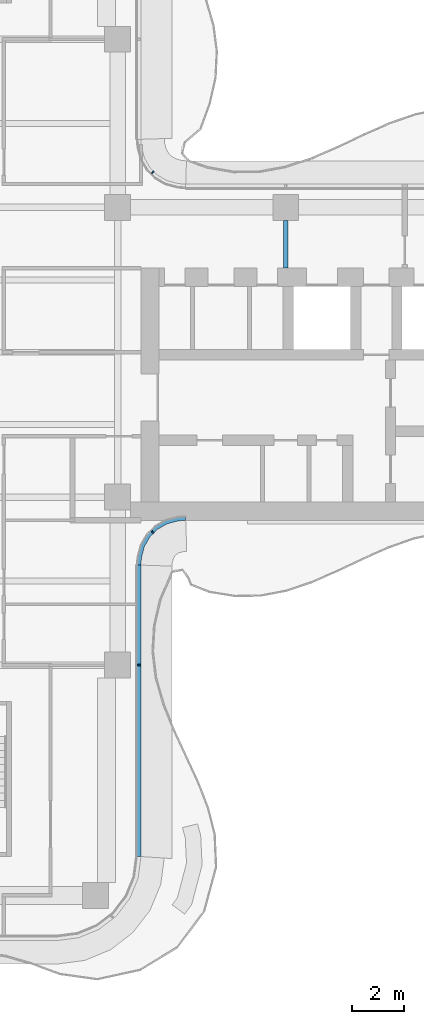
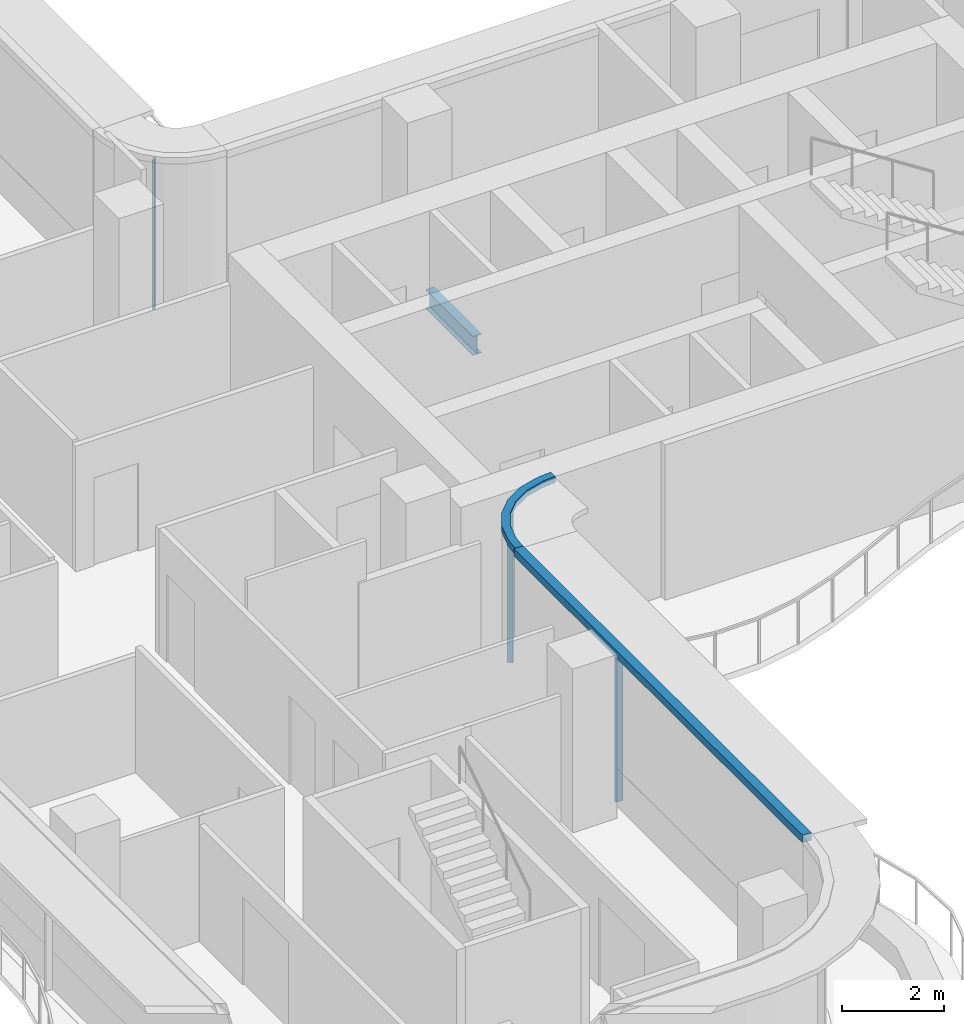
# One storey, part 5 of 17: 5 members, 1 beam, 3 elements without a shape of their own.
"""IFC4 building model written with IfcOpenShell, lengths in metres."""

from ifc_helpers import new_model, si_unit, direction, frame, origin, origin_2d, place, context, subcontext, project, spatial, polyline, rectangle, i_section, outline, extrude, source, transform, mapped, material, layer, layer_set, material_profile, profile_set, type_object, element, aggregate, save


model = new_model("IFC4")

# Units and contexts
model_context = context("Model", 3, precision=1e-05, world=origin(), true_north=direction((0.0, 1.0)))
body_context = subcontext(model_context, "Body", "Model", "MODEL_VIEW")
ifc_project = project(units=[si_unit("LENGTHUNIT", "METRE"), si_unit("AREAUNIT", "SQUARE_METRE"), si_unit("VOLUMEUNIT", "CUBIC_METRE"), si_unit("PLANEANGLEUNIT", "RADIAN"), si_unit("MASSUNIT", "GRAM", prefix="KILO")], contexts=[model_context])

# Site, building, storey
site_placement = place(None, origin())
site = spatial("IfcSite", under=ifc_project, at=site_placement, CompositionType="ELEMENT")
building_placement = place(site_placement, origin())
building = spatial("IfcBuilding", under=site, at=building_placement, Name="Trellis Farm Tower", CompositionType="ELEMENT")
storey_placement = place(building_placement, frame((0.0, 0.0, 295.0)))
storey = spatial("IfcBuildingStorey", under=building, at=storey_placement, Name="L66", CompositionType="ELEMENT", Elevation=295.0)

# Beam
ifc_material_1 = material(Name="Steel S355", Category="steel")
ifc_material_profile_1 = material_profile(ifc_material_1, i_section(OverallWidth=0.1904296875, OverallDepth=0.45703125, WebThickness=0.009033203125, FlangeThickness=0.014404296875, FilletRadius=0.01025390625, at=origin_2d()), Name="UB 457x191x74")
ifc_profile_set_1 = profile_set([ifc_material_profile_1], Name="Steel S355")
beam_type = type_object("IfcBeamType", Name="UB 457x191x74", PredefinedType="BEAM", material=ifc_profile_set_1)
shared_shape_1 = source(origin(), body_context, "Body", "SweptSolid", [
    extrude(i_section(OverallWidth=0.1904296875, OverallDepth=0.45703125, WebThickness=0.009033203125, FlangeThickness=0.014404296875, FilletRadius=0.01025390625, at=origin_2d()), origin(), (0.0, 0.0, 1.0), 1.85009765625),
])
beam_placement = place(storey_placement, frame((12.10009765625, 3.25, -0.428466796875), z_axis=(0.0, 1.0, 0.0), x_axis=(-1.0, 0.0, 0.0)))
element("IfcBeam", 1, at=beam_placement, inside=storey, type_object=beam_type, Name="Girder", PredefinedType="BEAM", context=body_context, shape_type="MappedRepresentation", body=[
    mapped(shared_shape_1, transform((0.0, 0.0, 0.0))),
])

# Curtain wall, member
ifc_material_2 = material(Name="Aluminium and glass curtain wall", Category="aluminium")
ifc_layer_1 = layer(ifc_material_2, 0.166015625)
ifc_layer_set_1 = layer_set([ifc_layer_1], Name="WINTER GARDEN CURTAIN WALL CW3")
curtain_wall_type_1 = type_object("IfcCurtainWallType", Name="WINTER GARDEN CURTAIN WALL CW3", PredefinedType="NOTDEFINED", material=ifc_layer_set_1)
placement = place(storey_placement, origin())
curtain_wall_1 = element("IfcCurtainWall", 2, at=placement, inside=storey, type_object=curtain_wall_type_1, Name="CW3 002", PredefinedType="NOTDEFINED")
ifc_material_3 = material(Name="Aluminium extrusion 6063-T6", Category="aluminium")
ifc_layer_2 = layer(ifc_material_3, 0.169921875)
ifc_layer_set_2 = layer_set([ifc_layer_2], Name="Aluminium extrusion 6063-T6")
member_type_1 = type_object("IfcMemberType", Name="CW3 TRANSOM 170x150", PredefinedType="USERDEFINED", material=ifc_layer_set_2)
shared_shape_2 = source(origin(), body_context, "Body", "SweptSolid", [
    extrude(outline(polyline([(6.5, -8.2314453125), (6.513916015625, -8.01953125), (6.527587890625, -7.91552734375), (6.63671875, -7.508544921875), (6.846923828125, -7.144287109375), (7.144287109375, -6.846923828125), (7.508544921875, -6.63671875), (7.91552734375, -6.527587890625), (8.01953125, -6.513916015625), (8.2314453125, -6.5), (8.225830078125, -6.330078125), (8.0029296875, -6.3447265625), (7.88232421875, -6.360595703125), (7.44287109375, -6.478271484375), (7.0400390625, -6.7109375), (6.7109375, -7.0400390625), (6.478271484375, -7.44287109375), (6.360595703125, -7.88232421875), (6.3447265625, -8.0029296875), (6.330078125, -8.225830078125), (6.5, -8.2314453125)])), origin(), (0.0, 0.0, 1.0), 0.14990234375),
])
member_1_placement = place(storey_placement, frame((0.0, 0.0, 3.550048828125)))
member_1 = element("IfcMember", 3, at=member_1_placement, type_object=member_type_1, Name="TR3 002", ObjectType="TRANSOM", PredefinedType="USERDEFINED", context=body_context, shape_type="MappedRepresentation", body=[
    mapped(shared_shape_2, transform((0.0, 0.0, 0.0))),
])

ifc_layer_3 = layer(ifc_material_2, 0.18994140625)
ifc_layer_set_3 = layer_set([ifc_layer_3], Name="RIBBON CURTAIN WALL CW1")
curtain_wall_type_2 = type_object("IfcCurtainWallType", Name="RIBBON CURTAIN WALL CW1", PredefinedType="NOTDEFINED", material=ifc_layer_set_3)
curtain_wall_2 = element("IfcCurtainWall", 4, at=placement, inside=storey, type_object=curtain_wall_type_2, Name="CW1 004", PredefinedType="NOTDEFINED")
ifc_material_profile_2 = material_profile(ifc_material_3, rectangle(XDim=0.06005859375, YDim=0.14990234375, at=origin_2d()), Name="MULLION 60x150")
ifc_profile_set_2 = profile_set([ifc_material_profile_2], Name="Aluminium extrusion 6063-T6")
member_type_2 = type_object("IfcMemberType", Name="CW1 MULLION 60x150", PredefinedType="MULLION", material=ifc_profile_set_2)
shared_shape_3 = source(origin(), body_context, "Body", "SweptSolid", [
    extrude(rectangle(XDim=0.06005859375, YDim=0.14990234375, at=origin_2d()), origin(), (0.0, 0.0, 1.0), 3.52001953125),
])
member_2_placement = place(storey_placement, frame((6.425048828125, -12.10009765625, 0.0), z_axis=(0.0, 0.0, 1.0), x_axis=(0.0, 1.0, 0.0)))
member_2 = element("IfcMember", 5, at=member_2_placement, type_object=member_type_2, Name="MU1 004-01", PredefinedType="MULLION", context=body_context, shape_type="MappedRepresentation", body=[
    mapped(shared_shape_3, transform((0.0, 0.0, 0.0))),
])

# Member
ifc_material_profile_3 = material_profile(ifc_material_3, rectangle(XDim=0.050048828125, YDim=0.1201171875, at=origin_2d()), Name="MULLION 50x120")
ifc_profile_set_3 = profile_set([ifc_material_profile_3], Name="Aluminium extrusion 6063-T6")
member_type_3 = type_object("IfcMemberType", Name="CW3 MULLION 50x120", PredefinedType="MULLION", material=ifc_profile_set_3)
shared_shape_4 = source(origin(), body_context, "Body", "SweptSolid", [
    extrude(rectangle(XDim=0.050048828125, YDim=0.1201171875, at=origin_2d()), origin(), (0.0, 0.0, 1.0), 3.550048828125),
])
member_3_placement = place(storey_placement, frame((6.953125, -6.953125, 0.0), z_axis=(0.0, 0.0, 1.0), x_axis=(0.707106781187, 0.707106781187, 0.0)))
member_3 = element("IfcMember", 6, at=member_3_placement, type_object=member_type_3, Name="MU3 002-01", PredefinedType="MULLION", context=body_context, shape_type="MappedRepresentation", body=[
    mapped(shared_shape_4, transform((0.0, 0.0, 0.0))),
])

aggregate(curtain_wall_1, [member_3, member_1])

# Curtain wall, member
curtain_wall_3 = element("IfcCurtainWall", 7, at=placement, inside=storey, type_object=curtain_wall_type_1, Name="CW3 003", PredefinedType="NOTDEFINED")
member_4_placement = place(storey_placement, frame((6.953125, 6.953125, 0.0), z_axis=(0.0, 0.0, 1.0), x_axis=(-0.707106781187, 0.707106781187, 0.0)))
member_4 = element("IfcMember", 8, at=member_4_placement, type_object=member_type_3, Name="MU3 003-01", PredefinedType="MULLION", context=body_context, shape_type="MappedRepresentation", body=[
    mapped(shared_shape_4, transform((0.0, 0.0, 0.0))),
])
aggregate(curtain_wall_3, [member_4])

# Member
ifc_layer_4 = layer(ifc_material_3, 0.199951171875)
ifc_layer_set_4 = layer_set([ifc_layer_4], Name="Aluminium extrusion 6063-T6")
member_type_4 = type_object("IfcMemberType", Name="CW1 TRANSOM 200x180", PredefinedType="USERDEFINED", material=ifc_layer_set_4)
shared_shape_5 = source(origin(), body_context, "Body", "SweptSolid", [
    extrude(outline(polyline([(6.5, -19.5), (6.5, -8.2314453125), (6.300048828125, -8.224853515625), (6.300048828125, -19.48681640625), (6.5, -19.5)])), origin(), (0.0, 0.0, 1.0), 0.179931640625),
])
member_5_placement = place(storey_placement, frame((0.0, 0.0, 3.52001953125)))
member_5 = element("IfcMember", 9, at=member_5_placement, type_object=member_type_4, Name="TR1 004", ObjectType="TRANSOM", PredefinedType="USERDEFINED", context=body_context, shape_type="MappedRepresentation", body=[
    mapped(shared_shape_5, transform((0.0, 0.0, 0.0))),
])

aggregate(curtain_wall_2, [member_2, member_5])

save(model, "model.ifc")
